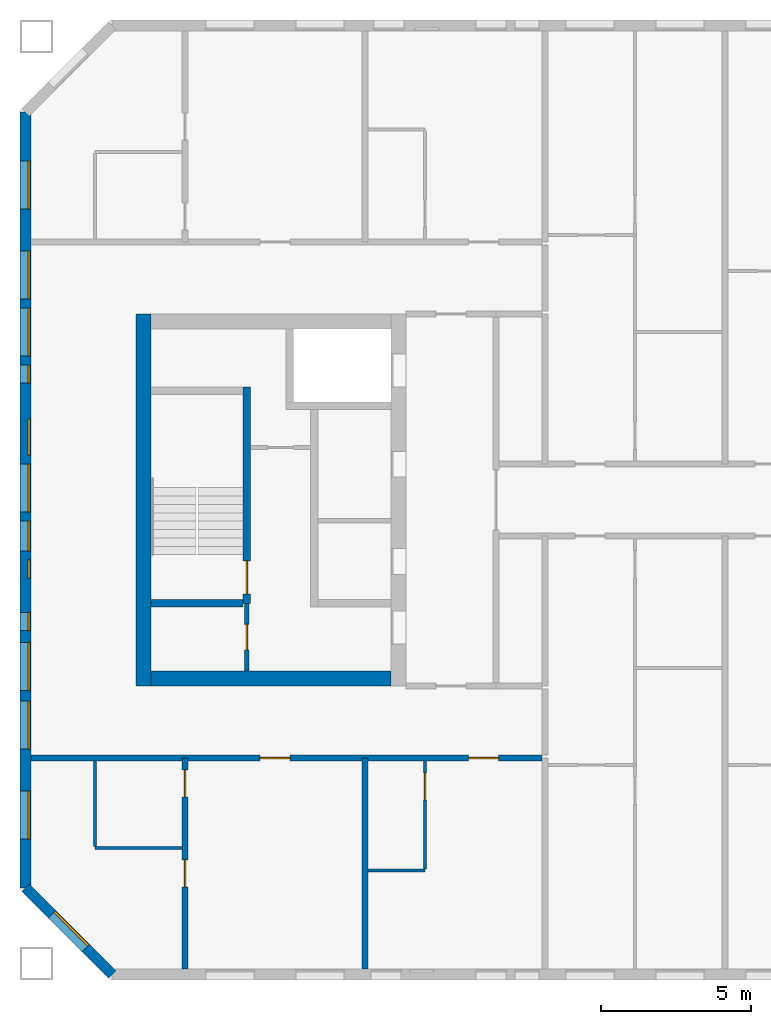
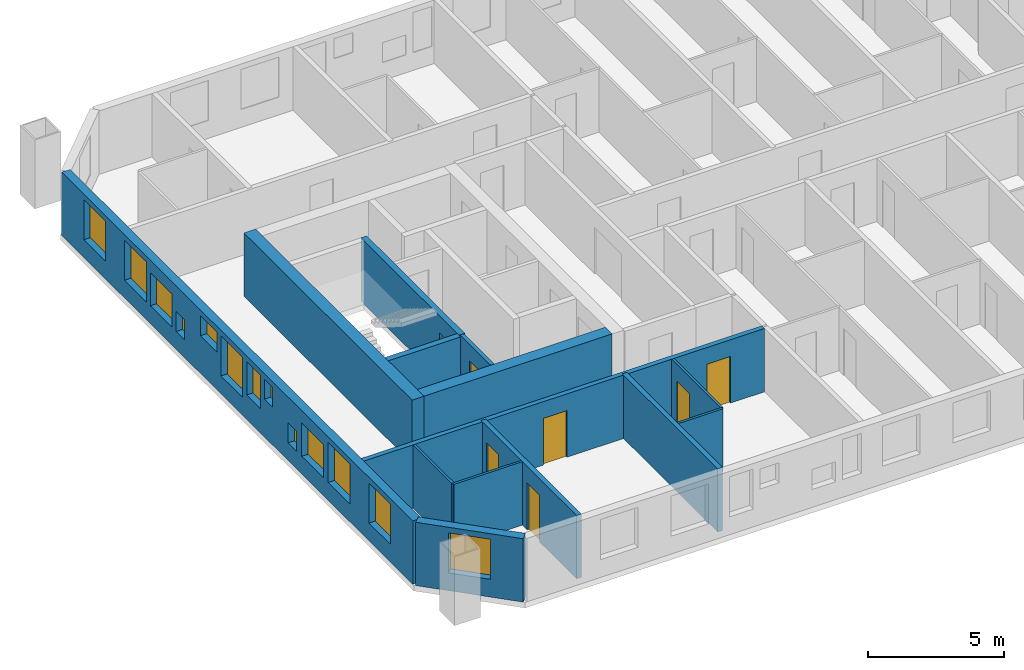
# One storey, part 2 of 16: 14 walls, 13 windows, 7 doors, 20 openings.
"""IFC4 building model written with IfcOpenShell, lengths in metres."""

from ifc_helpers import new_model, si_unit, direction, frame, frame_2d, origin, place, context, subcontext, project, spatial, rectangle, extrude, material, layer, layer_set, type_object, element, fill, save


model = new_model("IFC4")

# Units and contexts
model_context = context("Model", 3, precision=1e-05, world=origin(), true_north=direction((0.0, 1.0)))
body_context = subcontext(model_context, "Body", "Model", "MODEL_VIEW")
ifc_project = project(units=[si_unit("LENGTHUNIT", "METRE"), si_unit("AREAUNIT", "SQUARE_METRE"), si_unit("VOLUMEUNIT", "CUBIC_METRE"), si_unit("PLANEANGLEUNIT", "RADIAN"), si_unit("MASSUNIT", "GRAM", prefix="KILO")], contexts=[model_context])

# Site, building, storey
site_placement = place(None, origin())
site = spatial("IfcSite", under=ifc_project, at=site_placement, CompositionType="ELEMENT")
building_placement = place(site_placement, origin())
building = spatial("IfcBuilding", under=site, at=building_placement, Name="Tuart Gate Housing", CompositionType="ELEMENT")
storey_placement = place(building_placement, frame((0.0, 0.0, 157.800048828125)))
storey = spatial("IfcBuildingStorey", under=building, at=storey_placement, Name="L44", CompositionType="ELEMENT", Elevation=157.800048828125)

# Wall, opening, window
ifc_material_1 = material(Name="Brick", Category="masonry")
ifc_layer_1 = layer(ifc_material_1, 0.360107421875)
ifc_layer_set_1 = layer_set([ifc_layer_1], Name="Brick pier and spandrel wall 360")
wall_type_1 = type_object("IfcWallType", Name="Brick pier and spandrel wall 360", PredefinedType="STANDARD", material=ifc_layer_set_1)
wall_1_placement = place(storey_placement, frame((28.679931640625, 57.07470703125, 0.0), z_axis=(0.0, 0.0, 1.0), x_axis=(0.707106781187, -0.707106781187, 0.0)))
wall_1 = element("IfcWall", 1, at=wall_1_placement, inside=storey, type_object=wall_type_1, Name="External wall A-SW L44", PredefinedType="STANDARD", context=body_context, shape_type="SweptSolid", body=[
    extrude(rectangle(XDim=4.09375, YDim=0.360107421875, at=frame_2d((2.046875, 0.0))), origin(), (0.0, 0.0, 1.0), 2.849853515625),
])
opening_1_placement = place(wall_1_placement, frame((1.2470703125, 0.0, 0.800048828125)))
opening_1 = element("IfcOpeningElement", 2, at=opening_1_placement, cuts=wall_1, Name="Opening W1", PredefinedType="OPENING", context=body_context, shape_type="SweptSolid", body=[
    extrude(rectangle(XDim=1.60009765625, YDim=1.800048828125, at=frame_2d((0.800048828125, 0.89990234375))), frame((0.0, 0.18994140625, 0.0), z_axis=(0.0, -1.0, 0.0), x_axis=(1.0, 0.0, 0.0)), (0.0, 0.0, 1.0), 0.380126953125),
])
ifc_material_2 = material(Name="Aluminium frame with clear glass", Category="aluminium")
window_type_1 = type_object("IfcWindowType", Name="Punched window 1600 x 1800", PartitioningType="SINGLE_PANEL", PredefinedType="WINDOW", material=ifc_material_2)
window_1_placement = place(opening_1_placement, origin())
window_1 = element("IfcWindow", 3, at=window_1_placement, inside=storey, type_object=window_type_1, Name="Window W1", OverallHeight=1.800048828125, OverallWidth=1.60009765625, PartitioningType="SINGLE_PANEL", PredefinedType="WINDOW", context=body_context, shape_type="SweptSolid", body=[
    extrude(rectangle(XDim=1.60009765625, YDim=1.800048828125, at=frame_2d((0.800048828125, 0.89990234375))), frame((0.0, 0.150146484375, 0.0), z_axis=(0.0, -1.0, 0.0), x_axis=(1.0, 0.0, 0.0)), (0.0, 0.0, 1.0), 0.06005859375),
])
fill(opening_1, window_1)

# Wall, openings, windows
wall_2_placement = place(storey_placement, frame((28.679931640625, 82.92529296875, 0.0), z_axis=(0.0, 0.0, 1.0), x_axis=(0.0, -1.0, 0.0)))
wall_2 = element("IfcWall", 4, at=wall_2_placement, inside=storey, type_object=wall_type_1, Name="External wall A-W L44", PredefinedType="STANDARD", context=body_context, shape_type="SweptSolid", body=[
    extrude(rectangle(XDim=25.850830078125, YDim=0.360107421875, at=frame_2d((12.92529296875, 0.0))), origin(), (0.0, 0.0, 1.0), 2.849853515625),
])
opening_2_placement = place(wall_2_placement, frame((1.62548828125, 0.0, 0.800048828125)))
opening_2 = element("IfcOpeningElement", 5, at=opening_2_placement, cuts=wall_2, Name="Opening W1", PredefinedType="OPENING", context=body_context, shape_type="SweptSolid", body=[
    extrude(rectangle(XDim=1.60009765625, YDim=1.800048828125, at=frame_2d((0.800048828125, 0.89990234375))), frame((0.0, 0.18994140625, 0.0), z_axis=(0.0, -1.0, 0.0), x_axis=(1.0, 0.0, 0.0)), (0.0, 0.0, 1.0), 0.380126953125),
])
opening_3_placement = place(wall_2_placement, frame((4.62548828125, 0.0, 0.800048828125)))
opening_3 = element("IfcOpeningElement", 6, at=opening_3_placement, cuts=wall_2, Name="Opening W1", PredefinedType="OPENING", context=body_context, shape_type="SweptSolid", body=[
    extrude(rectangle(XDim=1.60009765625, YDim=1.800048828125, at=frame_2d((0.800048828125, 0.89990234375))), frame((0.0, 0.18994140625, 0.0), z_axis=(0.0, -1.0, 0.0), x_axis=(1.0, 0.0, 0.0)), (0.0, 0.0, 1.0), 0.380126953125),
])
opening_4_placement = place(wall_2_placement, frame((6.525390625, 0.0, 0.800048828125)))
opening_4 = element("IfcOpeningElement", 7, at=opening_4_placement, cuts=wall_2, Name="Opening W1F", PredefinedType="OPENING", context=body_context, shape_type="SweptSolid", body=[
    extrude(rectangle(XDim=1.60009765625, YDim=1.5, at=frame_2d((0.800048828125, 0.75))), frame((0.0, 0.18994140625, 0.0), z_axis=(0.0, -1.0, 0.0), x_axis=(1.0, 0.0, 0.0)), (0.0, 0.0, 1.0), 0.380126953125),
])
opening_5_placement = place(wall_2_placement, frame((8.42529296875, 0.0, 0.800048828125)))
opening_5 = element("IfcOpeningElement", 8, at=opening_5_placement, cuts=wall_2, Name="Opening W1W", PredefinedType="OPENING", context=body_context, shape_type="SweptSolid", body=[
    extrude(rectangle(XDim=0.60009765625, YDim=0.89990234375, at=frame_2d((0.300048828125, 0.449951171875))), frame((0.0, 0.18994140625, 0.0), z_axis=(0.0, -1.0, 0.0), x_axis=(1.0, 0.0, 0.0)), (0.0, 0.0, 1.0), 0.380126953125),
])
opening_6_placement = place(wall_2_placement, frame((10.225341796875, 0.0, 1.699951171875)))
opening_6 = element("IfcOpeningElement", 9, at=opening_6_placement, cuts=wall_2, Name="Opening W1T", PredefinedType="OPENING", context=body_context, shape_type="SweptSolid", body=[
    extrude(rectangle(XDim=1.199951171875, YDim=0.89990234375, at=frame_2d((0.60009765625, 0.449951171875))), frame((0.0, 0.18994140625, 0.0), z_axis=(0.0, -1.0, 0.0), x_axis=(1.0, 0.0, 0.0)), (0.0, 0.0, 1.0), 0.380126953125),
])
opening_7_placement = place(wall_2_placement, frame((11.725341796875, 0.0, 0.800048828125)))
opening_7 = element("IfcOpeningElement", 10, at=opening_7_placement, cuts=wall_2, Name="Opening W1", PredefinedType="OPENING", context=body_context, shape_type="SweptSolid", body=[
    extrude(rectangle(XDim=1.60009765625, YDim=1.800048828125, at=frame_2d((0.800048828125, 0.89990234375))), frame((0.0, 0.18994140625, 0.0), z_axis=(0.0, -1.0, 0.0), x_axis=(1.0, 0.0, 0.0)), (0.0, 0.0, 1.0), 0.380126953125),
])
opening_8_placement = place(wall_2_placement, frame((19.62548828125, 0.0, 0.800048828125)))
opening_8 = element("IfcOpeningElement", 11, at=opening_8_placement, cuts=wall_2, Name="Opening W1", PredefinedType="OPENING", context=body_context, shape_type="SweptSolid", body=[
    extrude(rectangle(XDim=1.60009765625, YDim=1.800048828125, at=frame_2d((0.800048828125, 0.89990234375))), frame((0.0, 0.18994140625, 0.0), z_axis=(0.0, -1.0, 0.0), x_axis=(1.0, 0.0, 0.0)), (0.0, 0.0, 1.0), 0.380126953125),
])
opening_9_placement = place(wall_2_placement, frame((22.62548828125, 0.0, 0.800048828125)))
opening_9 = element("IfcOpeningElement", 12, at=opening_9_placement, cuts=wall_2, Name="Opening W1", PredefinedType="OPENING", context=body_context, shape_type="SweptSolid", body=[
    extrude(rectangle(XDim=1.60009765625, YDim=1.800048828125, at=frame_2d((0.800048828125, 0.89990234375))), frame((0.0, 0.18994140625, 0.0), z_axis=(0.0, -1.0, 0.0), x_axis=(1.0, 0.0, 0.0)), (0.0, 0.0, 1.0), 0.380126953125),
])
opening_10_placement = place(wall_2_placement, frame((13.62548828125, 0.0, 1.10009765625)))
opening_10 = element("IfcOpeningElement", 13, at=opening_10_placement, cuts=wall_2, Name="Opening W1I", PredefinedType="OPENING", context=body_context, shape_type="SweptSolid", body=[
    extrude(rectangle(XDim=1.0, YDim=1.5, at=frame_2d((0.5, 0.75))), frame((0.0, 0.18994140625, 0.0), z_axis=(0.0, -1.0, 0.0), x_axis=(1.0, 0.0, 0.0)), (0.0, 0.0, 1.0), 0.380126953125),
])
opening_11_placement = place(wall_2_placement, frame((14.92529296875, 0.0, 1.699951171875)))
opening_11 = element("IfcOpeningElement", 14, at=opening_11_placement, cuts=wall_2, Name="Opening W1W", PredefinedType="OPENING", context=body_context, shape_type="SweptSolid", body=[
    extrude(rectangle(XDim=0.60009765625, YDim=0.89990234375, at=frame_2d((0.300048828125, 0.449951171875))), frame((0.0, 0.18994140625, 0.0), z_axis=(0.0, -1.0, 0.0), x_axis=(1.0, 0.0, 0.0)), (0.0, 0.0, 1.0), 0.380126953125),
])
opening_12_placement = place(wall_2_placement, frame((16.67529296875, 0.0, 0.800048828125)))
opening_12 = element("IfcOpeningElement", 15, at=opening_12_placement, cuts=wall_2, Name="Opening W1W", PredefinedType="OPENING", context=body_context, shape_type="SweptSolid", body=[
    extrude(rectangle(XDim=0.60009765625, YDim=0.89990234375, at=frame_2d((0.300048828125, 0.449951171875))), frame((0.0, 0.18994140625, 0.0), z_axis=(0.0, -1.0, 0.0), x_axis=(1.0, 0.0, 0.0)), (0.0, 0.0, 1.0), 0.380126953125),
])
opening_13_placement = place(wall_2_placement, frame((17.67529296875, 0.0, 0.800048828125)))
opening_13 = element("IfcOpeningElement", 16, at=opening_13_placement, cuts=wall_2, Name="Opening W1F", PredefinedType="OPENING", context=body_context, shape_type="SweptSolid", body=[
    extrude(rectangle(XDim=1.60009765625, YDim=1.5, at=frame_2d((0.800048828125, 0.75))), frame((0.0, 0.18994140625, 0.0), z_axis=(0.0, -1.0, 0.0), x_axis=(1.0, 0.0, 0.0)), (0.0, 0.0, 1.0), 0.380126953125),
])
ifc_material_3 = material(Name="Aluminium frame with clear glass", Category="aluminium")
window_type_2 = type_object("IfcWindowType", Name="Punched window 1000 x 1500", PartitioningType="SINGLE_PANEL", PredefinedType="WINDOW", material=ifc_material_3)
window_2_placement = place(opening_10_placement, origin())
window_2 = element("IfcWindow", 17, at=window_2_placement, inside=storey, type_object=window_type_2, Name="Window W1I", OverallHeight=1.5, OverallWidth=1.0, PartitioningType="SINGLE_PANEL", PredefinedType="WINDOW", context=body_context, shape_type="SweptSolid", body=[
    extrude(rectangle(XDim=1.0, YDim=1.5, at=frame_2d((0.5, 0.75))), frame((0.0, 0.150146484375, 0.0), z_axis=(0.0, -1.0, 0.0), x_axis=(1.0, 0.0, 0.0)), (0.0, 0.0, 1.0), 0.06005859375),
])
fill(opening_10, window_2)
ifc_material_4 = material(Name="Aluminium frame with clear glass", Category="aluminium")
window_type_3 = type_object("IfcWindowType", Name="Punched window 1200 x 900", PartitioningType="SINGLE_PANEL", PredefinedType="WINDOW", material=ifc_material_4)
window_3_placement = place(opening_6_placement, origin())
window_3 = element("IfcWindow", 18, at=window_3_placement, inside=storey, type_object=window_type_3, Name="Window W1T", OverallHeight=0.89990234375, OverallWidth=1.199951171875, PartitioningType="SINGLE_PANEL", PredefinedType="WINDOW", context=body_context, shape_type="SweptSolid", body=[
    extrude(rectangle(XDim=1.199951171875, YDim=0.89990234375, at=frame_2d((0.60009765625, 0.449951171875))), frame((0.0, 0.150146484375, 0.0), z_axis=(0.0, -1.0, 0.0), x_axis=(1.0, 0.0, 0.0)), (0.0, 0.0, 1.0), 0.06005859375),
])
fill(opening_6, window_3)
ifc_material_5 = material(Name="Aluminium frame with clear glass", Category="aluminium")
window_type_4 = type_object("IfcWindowType", Name="Punched window 1600 x 1500", PartitioningType="SINGLE_PANEL", PredefinedType="WINDOW", material=ifc_material_5)
window_4_placement = place(opening_4_placement, origin())
window_4 = element("IfcWindow", 19, at=window_4_placement, inside=storey, type_object=window_type_4, Name="Window W1F", OverallHeight=1.5, OverallWidth=1.60009765625, PartitioningType="SINGLE_PANEL", PredefinedType="WINDOW", context=body_context, shape_type="SweptSolid", body=[
    extrude(rectangle(XDim=1.60009765625, YDim=1.5, at=frame_2d((0.800048828125, 0.75))), frame((0.0, 0.150146484375, 0.0), z_axis=(0.0, -1.0, 0.0), x_axis=(1.0, 0.0, 0.0)), (0.0, 0.0, 1.0), 0.06005859375),
])
fill(opening_4, window_4)
window_5_placement = place(opening_13_placement, origin())
window_5 = element("IfcWindow", 20, at=window_5_placement, inside=storey, type_object=window_type_4, Name="Window W1F", OverallHeight=1.5, OverallWidth=1.60009765625, PartitioningType="SINGLE_PANEL", PredefinedType="WINDOW", context=body_context, shape_type="SweptSolid", body=[
    extrude(rectangle(XDim=1.60009765625, YDim=1.5, at=frame_2d((0.800048828125, 0.75))), frame((0.0, 0.150146484375, 0.0), z_axis=(0.0, -1.0, 0.0), x_axis=(1.0, 0.0, 0.0)), (0.0, 0.0, 1.0), 0.06005859375),
])
fill(opening_13, window_5)
window_6_placement = place(opening_2_placement, origin())
window_6 = element("IfcWindow", 21, at=window_6_placement, inside=storey, type_object=window_type_1, Name="Window W1", OverallHeight=1.800048828125, OverallWidth=1.60009765625, PartitioningType="SINGLE_PANEL", PredefinedType="WINDOW", context=body_context, shape_type="SweptSolid", body=[
    extrude(rectangle(XDim=1.60009765625, YDim=1.800048828125, at=frame_2d((0.800048828125, 0.89990234375))), frame((0.0, 0.150146484375, 0.0), z_axis=(0.0, -1.0, 0.0), x_axis=(1.0, 0.0, 0.0)), (0.0, 0.0, 1.0), 0.06005859375),
])
fill(opening_2, window_6)
window_7_placement = place(opening_3_placement, origin())
window_7 = element("IfcWindow", 22, at=window_7_placement, inside=storey, type_object=window_type_1, Name="Window W1", OverallHeight=1.800048828125, OverallWidth=1.60009765625, PartitioningType="SINGLE_PANEL", PredefinedType="WINDOW", context=body_context, shape_type="SweptSolid", body=[
    extrude(rectangle(XDim=1.60009765625, YDim=1.800048828125, at=frame_2d((0.800048828125, 0.89990234375))), frame((0.0, 0.150146484375, 0.0), z_axis=(0.0, -1.0, 0.0), x_axis=(1.0, 0.0, 0.0)), (0.0, 0.0, 1.0), 0.06005859375),
])
fill(opening_3, window_7)
window_8_placement = place(opening_7_placement, origin())
window_8 = element("IfcWindow", 23, at=window_8_placement, inside=storey, type_object=window_type_1, Name="Window W1", OverallHeight=1.800048828125, OverallWidth=1.60009765625, PartitioningType="SINGLE_PANEL", PredefinedType="WINDOW", context=body_context, shape_type="SweptSolid", body=[
    extrude(rectangle(XDim=1.60009765625, YDim=1.800048828125, at=frame_2d((0.800048828125, 0.89990234375))), frame((0.0, 0.150146484375, 0.0), z_axis=(0.0, -1.0, 0.0), x_axis=(1.0, 0.0, 0.0)), (0.0, 0.0, 1.0), 0.06005859375),
])
fill(opening_7, window_8)
window_9_placement = place(opening_8_placement, origin())
window_9 = element("IfcWindow", 24, at=window_9_placement, inside=storey, type_object=window_type_1, Name="Window W1", OverallHeight=1.800048828125, OverallWidth=1.60009765625, PartitioningType="SINGLE_PANEL", PredefinedType="WINDOW", context=body_context, shape_type="SweptSolid", body=[
    extrude(rectangle(XDim=1.60009765625, YDim=1.800048828125, at=frame_2d((0.800048828125, 0.89990234375))), frame((0.0, 0.150146484375, 0.0), z_axis=(0.0, -1.0, 0.0), x_axis=(1.0, 0.0, 0.0)), (0.0, 0.0, 1.0), 0.06005859375),
])
fill(opening_8, window_9)
window_10_placement = place(opening_9_placement, origin())
window_10 = element("IfcWindow", 25, at=window_10_placement, inside=storey, type_object=window_type_1, Name="Window W1", OverallHeight=1.800048828125, OverallWidth=1.60009765625, PartitioningType="SINGLE_PANEL", PredefinedType="WINDOW", context=body_context, shape_type="SweptSolid", body=[
    extrude(rectangle(XDim=1.60009765625, YDim=1.800048828125, at=frame_2d((0.800048828125, 0.89990234375))), frame((0.0, 0.150146484375, 0.0), z_axis=(0.0, -1.0, 0.0), x_axis=(1.0, 0.0, 0.0)), (0.0, 0.0, 1.0), 0.06005859375),
])
fill(opening_9, window_10)
ifc_material_6 = material(Name="Aluminium frame with clear glass", Category="aluminium")
window_type_5 = type_object("IfcWindowType", Name="Punched window 600 x 900", PartitioningType="SINGLE_PANEL", PredefinedType="WINDOW", material=ifc_material_6)
window_11_placement = place(opening_5_placement, origin())
window_11 = element("IfcWindow", 26, at=window_11_placement, inside=storey, type_object=window_type_5, Name="Window W1W", OverallHeight=0.89990234375, OverallWidth=0.60009765625, PartitioningType="SINGLE_PANEL", PredefinedType="WINDOW", context=body_context, shape_type="SweptSolid", body=[
    extrude(rectangle(XDim=0.60009765625, YDim=0.89990234375, at=frame_2d((0.300048828125, 0.449951171875))), frame((0.0, 0.150146484375, 0.0), z_axis=(0.0, -1.0, 0.0), x_axis=(1.0, 0.0, 0.0)), (0.0, 0.0, 1.0), 0.06005859375),
])
fill(opening_5, window_11)
window_12_placement = place(opening_11_placement, origin())
window_12 = element("IfcWindow", 27, at=window_12_placement, inside=storey, type_object=window_type_5, Name="Window W1W", OverallHeight=0.89990234375, OverallWidth=0.60009765625, PartitioningType="SINGLE_PANEL", PredefinedType="WINDOW", context=body_context, shape_type="SweptSolid", body=[
    extrude(rectangle(XDim=0.60009765625, YDim=0.89990234375, at=frame_2d((0.300048828125, 0.449951171875))), frame((0.0, 0.150146484375, 0.0), z_axis=(0.0, -1.0, 0.0), x_axis=(1.0, 0.0, 0.0)), (0.0, 0.0, 1.0), 0.06005859375),
])
fill(opening_11, window_12)
window_13_placement = place(opening_12_placement, origin())
window_13 = element("IfcWindow", 28, at=window_13_placement, inside=storey, type_object=window_type_5, Name="Window W1W", OverallHeight=0.89990234375, OverallWidth=0.60009765625, PartitioningType="SINGLE_PANEL", PredefinedType="WINDOW", context=body_context, shape_type="SweptSolid", body=[
    extrude(rectangle(XDim=0.60009765625, YDim=0.89990234375, at=frame_2d((0.300048828125, 0.449951171875))), frame((0.0, 0.150146484375, 0.0), z_axis=(0.0, -1.0, 0.0), x_axis=(1.0, 0.0, 0.0)), (0.0, 0.0, 1.0), 0.06005859375),
])
fill(opening_12, window_13)

# Wall, opening, door
ifc_material_7 = material(Name="Plasterboard partition")
ifc_layer_2 = layer(ifc_material_7, 0.14990234375)
ifc_layer_set_2 = layer_set([ifc_layer_2], Name="Core partition 150")
wall_type_2 = type_object("IfcWallType", Name="Core partition 150", PredefinedType="PARTITIONING", material=ifc_layer_set_2)
wall_3_placement = place(storey_placement, frame((36.06005859375, 66.550048828125, 0.0), z_axis=(0.0, 0.0, 1.0), x_axis=(0.0, -1.0, 0.0)))
wall_3 = element("IfcWall", 29, at=wall_3_placement, inside=storey, type_object=wall_type_2, Name="Core partition AK.10", PredefinedType="PARTITIONING", context=body_context, shape_type="SweptSolid", body=[
    extrude(rectangle(XDim=2.25, YDim=0.14990234375, at=frame_2d((1.125, 0.0))), origin(), (0.0, 0.0, 1.0), 2.849853515625),
])
opening_14_placement = place(wall_3_placement, frame((0.699951171875, 0.0, 0.0)))
opening_14 = element("IfcOpeningElement", 30, at=opening_14_placement, cuts=wall_3, Name="Opening D1659", PredefinedType="OPENING", context=body_context, shape_type="SweptSolid", body=[
    extrude(rectangle(XDim=0.85009765625, YDim=2.10009765625, at=frame_2d((0.425048828125, 1.050048828125))), frame((0.0, 0.0849609375, 0.0), z_axis=(0.0, -1.0, 0.0), x_axis=(1.0, 0.0, 0.0)), (0.0, 0.0, 1.0), 0.169921875),
])
ifc_material_8 = material(Name="Steel fire door", Category="steel")
door_type_1 = type_object("IfcDoorType", Name="Service door 850 x 2100 RH", OperationType="SINGLE_SWING_RIGHT", PredefinedType="DOOR", material=ifc_material_8)
door_1_placement = place(opening_14_placement, frame((0.85009765625, 0.0, 0.0), z_axis=(0.0, 0.0, 1.0), x_axis=(-1.0, 0.0, 0.0)))
door_1 = element("IfcDoor", 31, at=door_1_placement, inside=storey, type_object=door_type_1, Name="Service room door AK.ST", OperationType="SINGLE_SWING_RIGHT", OverallHeight=2.10009765625, OverallWidth=0.85009765625, PredefinedType="DOOR", context=body_context, shape_type="SweptSolid", body=[
    extrude(rectangle(XDim=0.85009765625, YDim=2.10009765625, at=frame_2d((0.425048828125, 1.050048828125))), frame((0.0, 0.025146484375, 0.0), z_axis=(0.0, -1.0, 0.0), x_axis=(1.0, 0.0, 0.0)), (0.0, 0.0, 1.0), 0.050048828125),
])
fill(opening_14, door_1)

# Wall
ifc_material_9 = material(Name="Concrete C40", Category="concrete")
ifc_layer_3 = layer(ifc_material_9, 0.25)
ifc_layer_set_3 = layer_set([ifc_layer_3], Name="Core wall 250 C40")
wall_type_3 = type_object("IfcWallType", Name="Core wall 250 C40", PredefinedType="SHEAR", material=ifc_layer_set_3)
wall_4_placement = place(storey_placement, frame((35.93505859375, 66.550048828125, 0.0), z_axis=(0.0, 0.0, 1.0), x_axis=(-1.0, 0.0, 0.0)))
element("IfcWall", 32, at=wall_4_placement, inside=storey, type_object=wall_type_3, Name="Core wall AK.6", PredefinedType="SHEAR", context=body_context, shape_type="SweptSolid", body=[
    extrude(rectangle(XDim=3.074951171875, YDim=0.25, at=frame_2d((1.53759765625, 0.0))), origin(), (0.0, 0.0, 1.0), 2.849853515625),
])

# Wall, opening, door
wall_5_placement = place(storey_placement, frame((36.06005859375, 73.77490234375, 0.0), z_axis=(0.0, 0.0, 1.0), x_axis=(0.0, -1.0, 0.0)))
wall_5 = element("IfcWall", 33, at=wall_5_placement, inside=storey, type_object=wall_type_3, Name="Core wall AK.9", PredefinedType="SHEAR", context=body_context, shape_type="SweptSolid", body=[
    extrude(rectangle(XDim=7.224853515625, YDim=0.25, at=frame_2d((3.6123046875, 0.0))), origin(), (0.0, 0.0, 1.0), 2.849853515625),
])
opening_15_placement = place(wall_5_placement, frame((5.800048828125, 0.0, 0.0)))
opening_15 = element("IfcOpeningElement", 34, at=opening_15_placement, cuts=wall_5, Name="Opening D1648", PredefinedType="OPENING", context=body_context, shape_type="SweptSolid", body=[
    extrude(rectangle(XDim=1.10009765625, YDim=2.10009765625, at=frame_2d((0.550048828125, 1.050048828125))), frame((0.0, 0.135009765625, 0.0), z_axis=(0.0, -1.0, 0.0), x_axis=(1.0, 0.0, 0.0)), (0.0, 0.0, 1.0), 0.27001953125),
])
ifc_material_10 = material(Name="Steel fire door", Category="steel")
door_type_2 = type_object("IfcDoorType", Name="Stair door 1100 x 2100", OperationType="SINGLE_SWING_LEFT", PredefinedType="DOOR", material=ifc_material_10)
door_2_placement = place(opening_15_placement, frame((1.10009765625, 0.0, 0.0), z_axis=(0.0, 0.0, 1.0), x_axis=(-1.0, 0.0, 0.0)))
door_2 = element("IfcDoor", 35, at=door_2_placement, inside=storey, type_object=door_type_2, Name="Stair door AK.SD", OperationType="SINGLE_SWING_LEFT", OverallHeight=2.10009765625, OverallWidth=1.10009765625, PredefinedType="DOOR", context=body_context, shape_type="SweptSolid", body=[
    extrude(rectangle(XDim=1.10009765625, YDim=2.10009765625, at=frame_2d((0.550048828125, 1.050048828125))), frame((0.0, 0.025146484375, 0.0), z_axis=(0.0, -1.0, 0.0), x_axis=(1.0, 0.0, 0.0)), (0.0, 0.0, 1.0), 0.050048828125),
])
fill(opening_15, door_2)

# Walls
ifc_material_11 = material(Name="Concrete C40", Category="concrete")
ifc_layer_4 = layer(ifc_material_11, 0.5)
ifc_layer_set_4 = layer_set([ifc_layer_4], Name="Core wall 500 C40")
wall_type_4 = type_object("IfcWallType", Name="Core wall 500 C40", PredefinedType="SHEAR", material=ifc_layer_set_4)
wall_6_placement = place(storey_placement, frame((32.610107421875, 76.199951171875, 0.0), z_axis=(0.0, 0.0, 1.0), x_axis=(0.0, -1.0, 0.0)))
element("IfcWall", 36, at=wall_6_placement, inside=storey, type_object=wall_type_4, Name="Core wall AK back", PredefinedType="SHEAR", context=body_context, shape_type="SweptSolid", body=[
    extrude(rectangle(XDim=12.39990234375, YDim=0.5, at=frame_2d((6.199951171875, 0.0))), origin(), (0.0, 0.0, 1.0), 2.849853515625),
])
wall_7_placement = place(storey_placement, frame((40.860107421875, 64.050048828125, 0.0), z_axis=(0.0, 0.0, 1.0), x_axis=(-1.0, 0.0, 0.0)))
element("IfcWall", 37, at=wall_7_placement, inside=storey, type_object=wall_type_4, Name="Core wall AK north", PredefinedType="SHEAR", context=body_context, shape_type="SweptSolid", body=[
    extrude(rectangle(XDim=8.0, YDim=0.5, at=frame_2d((4.0, 0.0))), origin(), (0.0, 0.0, 1.0), 2.849853515625),
])

# Wall, openings, doors
ifc_material_12 = material(Name="Concrete masonry 15 MPa", Category="masonry")
ifc_layer_5 = layer(ifc_material_12, 0.199951171875)
ifc_layer_set_5 = layer_set([ifc_layer_5], Name="Corridor wall masonry 200")
wall_type_5 = type_object("IfcWallType", Name="Corridor wall masonry 200", PredefinedType="PARTITIONING", material=ifc_layer_set_5)
wall_8_placement = place(storey_placement, frame((28.860107421875, 61.39990234375, 0.0), z_axis=(0.0, 0.0, 1.0), x_axis=(1.0, 0.0, 0.0)))
wall_8 = element("IfcWall", 38, at=wall_8_placement, inside=storey, type_object=wall_type_5, Name="Corridor wall masonry 200", PredefinedType="PARTITIONING", context=body_context, shape_type="SweptSolid", body=[
    extrude(rectangle(XDim=17.039794921875, YDim=0.199951171875, at=frame_2d((8.52001953125, 0.0))), origin(), (0.0, 0.0, 1.0), 2.849853515625),
])
opening_16_placement = place(wall_8_placement, frame((14.590087890625, 0.0, 0.0)))
opening_16 = element("IfcOpeningElement", 39, at=opening_16_placement, cuts=wall_8, Name="Opening D1670", PredefinedType="OPENING", context=body_context, shape_type="SweptSolid", body=[
    extrude(rectangle(XDim=1.0, YDim=2.10009765625, at=frame_2d((0.5, 1.050048828125))), frame((0.0, 0.10986328125, 0.0), z_axis=(0.0, -1.0, 0.0), x_axis=(1.0, 0.0, 0.0)), (0.0, 0.0, 1.0), 0.219970703125),
])
opening_17_placement = place(wall_8_placement, frame((7.639892578125, 0.0, 0.0)))
opening_17 = element("IfcOpeningElement", 40, at=opening_17_placement, cuts=wall_8, Name="Opening D1671", PredefinedType="OPENING", context=body_context, shape_type="SweptSolid", body=[
    extrude(rectangle(XDim=1.0, YDim=2.10009765625, at=frame_2d((0.5, 1.050048828125))), frame((0.0, 0.10986328125, 0.0), z_axis=(0.0, -1.0, 0.0), x_axis=(1.0, 0.0, 0.0)), (0.0, 0.0, 1.0), 0.219970703125),
])
ifc_material_13 = material(Name="Timber door leaf in steel frame", Category="steel")
door_type_3 = type_object("IfcDoorType", Name="Flat entrance door 1000 RH", OperationType="SINGLE_SWING_RIGHT", PredefinedType="DOOR", material=ifc_material_13)
door_3_placement = place(opening_16_placement, frame((1.0, 0.0, 0.0), z_axis=(0.0, 0.0, 1.0), x_axis=(-1.0, 0.0, 0.0)))
door_3 = element("IfcDoor", 41, at=door_3_placement, inside=storey, type_object=door_type_3, Name="Flat entrance door", OperationType="SINGLE_SWING_RIGHT", OverallHeight=2.10009765625, OverallWidth=1.0, PredefinedType="DOOR", context=body_context, shape_type="SweptSolid", body=[
    extrude(rectangle(XDim=1.0, YDim=2.10009765625, at=frame_2d((0.5, 1.050048828125))), frame((0.0, 0.025146484375, 0.0), z_axis=(0.0, -1.0, 0.0), x_axis=(1.0, 0.0, 0.0)), (0.0, 0.0, 1.0), 0.050048828125),
])
fill(opening_16, door_3)
door_4_placement = place(opening_17_placement, frame((1.0, 0.0, 0.0), z_axis=(0.0, 0.0, 1.0), x_axis=(-1.0, 0.0, 0.0)))
door_4 = element("IfcDoor", 42, at=door_4_placement, inside=storey, type_object=door_type_3, Name="Flat entrance door", OperationType="SINGLE_SWING_RIGHT", OverallHeight=2.10009765625, OverallWidth=1.0, PredefinedType="DOOR", context=body_context, shape_type="SweptSolid", body=[
    extrude(rectangle(XDim=1.0, YDim=2.10009765625, at=frame_2d((0.5, 1.050048828125))), frame((0.0, 0.025146484375, 0.0), z_axis=(0.0, -1.0, 0.0), x_axis=(1.0, 0.0, 0.0)), (0.0, 0.0, 1.0), 0.050048828125),
])
fill(opening_17, door_4)

# Walls
ifc_material_14 = material(Name="Gypsum board on steel studs", Category="steel")
ifc_layer_6 = layer(ifc_material_14, 0.10009765625)
ifc_layer_set_6 = layer_set([ifc_layer_6], Name="Partition 100")
wall_type_6 = type_object("IfcWallType", Name="Partition 100", PredefinedType="PARTITIONING", material=ifc_layer_set_6)
wall_9_placement = place(storey_placement, frame((40.10009765625, 57.64990234375, 0.0), z_axis=(0.0, 0.0, 1.0), x_axis=(1.0, 0.0, 0.0)))
element("IfcWall", 43, at=wall_9_placement, inside=storey, type_object=wall_type_6, Name="Partition 100", PredefinedType="PARTITIONING", context=body_context, shape_type="SweptSolid", body=[
    extrude(rectangle(XDim=1.89990234375, YDim=0.10009765625, at=frame_2d((0.949951171875, 0.0))), origin(), (0.0, 0.0, 1.0), 2.849853515625),
])
wall_10_placement = place(storey_placement, frame((31.0, 58.39990234375, 0.0), z_axis=(0.0, 0.0, 1.0), x_axis=(1.0, 0.0, 0.0)))
element("IfcWall", 44, at=wall_10_placement, inside=storey, type_object=wall_type_6, Name="Partition 100", PredefinedType="PARTITIONING", context=body_context, shape_type="SweptSolid", body=[
    extrude(rectangle(XDim=2.89990234375, YDim=0.10009765625, at=frame_2d((1.449951171875, 0.0))), origin(), (0.0, 0.0, 1.0), 2.849853515625),
])
wall_11_placement = place(storey_placement, frame((31.0, 58.449951171875, 0.0), z_axis=(0.0, 0.0, 1.0), x_axis=(0.0, 1.0, 0.0)))
element("IfcWall", 45, at=wall_11_placement, inside=storey, type_object=wall_type_6, Name="Partition 100", PredefinedType="PARTITIONING", context=body_context, shape_type="SweptSolid", body=[
    extrude(rectangle(XDim=2.85009765625, YDim=0.10009765625, at=frame_2d((1.425048828125, 0.0))), origin(), (0.0, 0.0, 1.0), 2.849853515625),
])

# Wall, opening, door
wall_12_placement = place(storey_placement, frame((42.0, 57.699951171875, 0.0), z_axis=(0.0, 0.0, 1.0), x_axis=(0.0, 1.0, 0.0)))
wall_12 = element("IfcWall", 46, at=wall_12_placement, inside=storey, type_object=wall_type_6, Name="Partition 100", PredefinedType="PARTITIONING", context=body_context, shape_type="SweptSolid", body=[
    extrude(rectangle(XDim=3.60009765625, YDim=0.10009765625, at=frame_2d((1.800048828125, 0.0))), origin(), (0.0, 0.0, 1.0), 2.849853515625),
])
opening_18_placement = place(wall_12_placement, frame((2.300048828125, 0.0, 0.0)))
opening_18 = element("IfcOpeningElement", 47, at=opening_18_placement, cuts=wall_12, Name="Opening D1676", PredefinedType="OPENING", context=body_context, shape_type="SweptSolid", body=[
    extrude(rectangle(XDim=0.89990234375, YDim=2.10009765625, at=frame_2d((0.449951171875, 1.050048828125))), frame((0.0, 0.06005859375, 0.0), z_axis=(0.0, -1.0, 0.0), x_axis=(1.0, 0.0, 0.0)), (0.0, 0.0, 1.0), 0.1201171875),
])
ifc_material_15 = material(Name="Timber door leaf in steel frame", Category="steel")
door_type_4 = type_object("IfcDoorType", Name="Bathroom door 900 RH", OperationType="SINGLE_SWING_RIGHT", PredefinedType="DOOR", material=ifc_material_15)
door_5_placement = place(opening_18_placement, origin())
door_5 = element("IfcDoor", 48, at=door_5_placement, inside=storey, type_object=door_type_4, Name="Bathroom door", OperationType="SINGLE_SWING_RIGHT", OverallHeight=2.10009765625, OverallWidth=0.89990234375, PredefinedType="DOOR", context=body_context, shape_type="SweptSolid", body=[
    extrude(rectangle(XDim=0.89990234375, YDim=2.10009765625, at=frame_2d((0.449951171875, 1.050048828125))), frame((0.0, 0.02490234375, 0.0), z_axis=(0.0, -1.0, 0.0), x_axis=(1.0, 0.0, 0.0)), (0.0, 0.0, 1.0), 0.050048828125),
])
fill(opening_18, door_5)

# Wall, openings, doors
ifc_material_16 = material(Name="Concrete C40", Category="concrete")
ifc_layer_7 = layer(ifc_material_16, 0.199951171875)
ifc_layer_set_7 = layer_set([ifc_layer_7], Name="Party wall concrete C40 200")
wall_type_7 = type_object("IfcWallType", Name="Party wall concrete C40 200", PredefinedType="SOLIDWALL", material=ifc_layer_set_7)
wall_13_placement = place(storey_placement, frame((34.0, 54.360107421875, 0.0), z_axis=(0.0, 0.0, 1.0), x_axis=(0.0, 1.0, 0.0)))
wall_13 = element("IfcWall", 49, at=wall_13_placement, inside=storey, type_object=wall_type_7, Name="Party wall concrete C40 200", PredefinedType="SOLIDWALL", context=body_context, shape_type="SweptSolid", body=[
    extrude(rectangle(XDim=7.039794921875, YDim=0.199951171875, at=frame_2d((3.52001953125, 0.0))), origin(), (0.0, 0.0, 1.0), 2.849853515625),
])
opening_19_placement = place(wall_13_placement, frame((2.739990234375, 0.0, 0.0)))
opening_19 = element("IfcOpeningElement", 50, at=opening_19_placement, cuts=wall_13, Name="Opening D1680", PredefinedType="OPENING", context=body_context, shape_type="SweptSolid", body=[
    extrude(rectangle(XDim=0.89990234375, YDim=2.10009765625, at=frame_2d((0.449951171875, 1.050048828125))), frame((0.0, 0.10986328125, 0.0), z_axis=(0.0, -1.0, 0.0), x_axis=(1.0, 0.0, 0.0)), (0.0, 0.0, 1.0), 0.219970703125),
])
opening_20_placement = place(wall_13_placement, frame((5.739990234375, 0.0, 0.0)))
opening_20 = element("IfcOpeningElement", 51, at=opening_20_placement, cuts=wall_13, Name="Opening D1679", PredefinedType="OPENING", context=body_context, shape_type="SweptSolid", body=[
    extrude(rectangle(XDim=0.89990234375, YDim=2.10009765625, at=frame_2d((0.449951171875, 1.050048828125))), frame((0.0, 0.10986328125, 0.0), z_axis=(0.0, -1.0, 0.0), x_axis=(1.0, 0.0, 0.0)), (0.0, 0.0, 1.0), 0.219970703125),
])
door_6_placement = place(opening_20_placement, origin())
door_6 = element("IfcDoor", 52, at=door_6_placement, inside=storey, type_object=door_type_4, Name="Bathroom door", OperationType="SINGLE_SWING_RIGHT", OverallHeight=2.10009765625, OverallWidth=0.89990234375, PredefinedType="DOOR", context=body_context, shape_type="SweptSolid", body=[
    extrude(rectangle(XDim=0.89990234375, YDim=2.10009765625, at=frame_2d((0.449951171875, 1.050048828125))), frame((0.0, 0.02490234375, 0.0), z_axis=(0.0, -1.0, 0.0), x_axis=(1.0, 0.0, 0.0)), (0.0, 0.0, 1.0), 0.050048828125),
])
fill(opening_20, door_6)
ifc_material_17 = material(Name="Timber door leaf in steel frame", Category="steel")
door_type_5 = type_object("IfcDoorType", Name="Internal door 900 RH", OperationType="SINGLE_SWING_RIGHT", PredefinedType="DOOR", material=ifc_material_17)
door_7_placement = place(opening_19_placement, origin())
door_7 = element("IfcDoor", 53, at=door_7_placement, inside=storey, type_object=door_type_5, Name="Internal door", OperationType="SINGLE_SWING_RIGHT", OverallHeight=2.10009765625, OverallWidth=0.89990234375, PredefinedType="DOOR", context=body_context, shape_type="SweptSolid", body=[
    extrude(rectangle(XDim=0.89990234375, YDim=2.10009765625, at=frame_2d((0.449951171875, 1.050048828125))), frame((0.0, 0.02490234375, 0.0), z_axis=(0.0, -1.0, 0.0), x_axis=(1.0, 0.0, 0.0)), (0.0, 0.0, 1.0), 0.050048828125),
])
fill(opening_19, door_7)

# Wall
wall_14_placement = place(storey_placement, frame((40.0, 54.360107421875, 0.0), z_axis=(0.0, 0.0, 1.0), x_axis=(0.0, 1.0, 0.0)))
element("IfcWall", 54, at=wall_14_placement, inside=storey, type_object=wall_type_7, Name="Party wall concrete C40 200", PredefinedType="SOLIDWALL", context=body_context, shape_type="SweptSolid", body=[
    extrude(rectangle(XDim=7.039794921875, YDim=0.199951171875, at=frame_2d((3.52001953125, 0.0))), origin(), (0.0, 0.0, 1.0), 2.849853515625),
])

save(model, "model.ifc")
